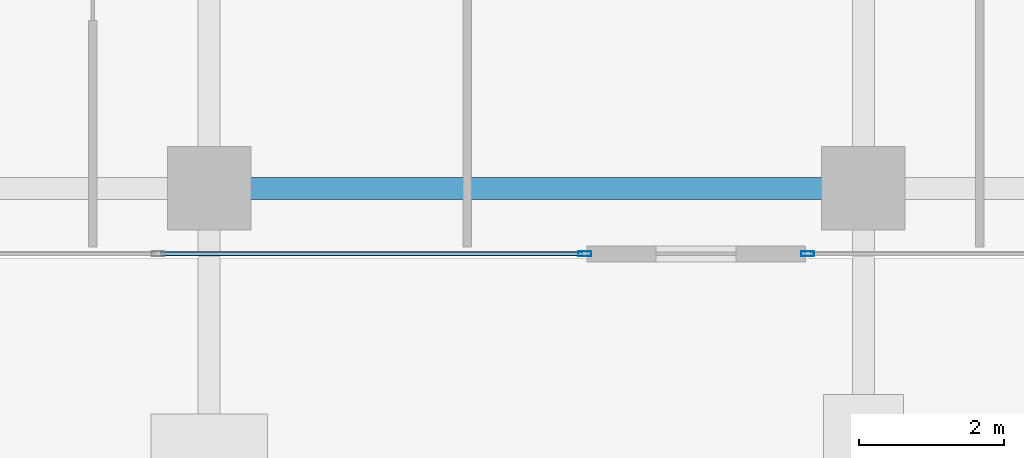
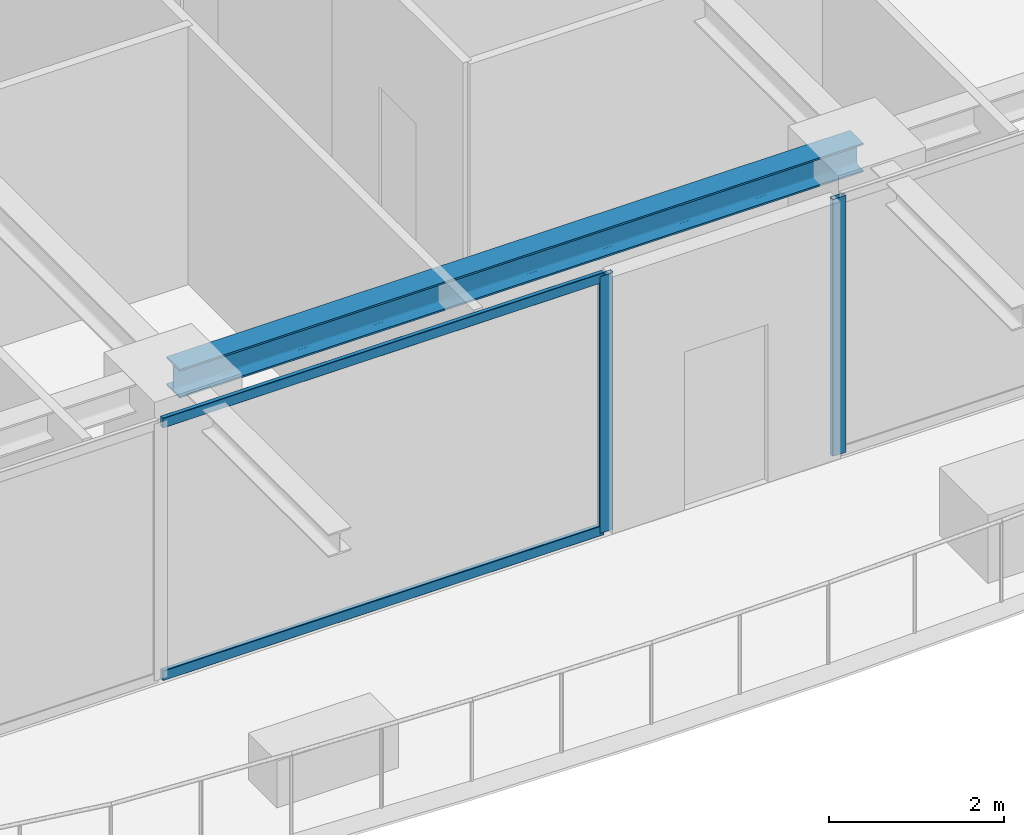
# One storey, part 6 of 36: 4 members, 1 beam, 2 elements without a shape of their own.
"""IFC4 building model written with IfcOpenShell, lengths in metres."""

from ifc_helpers import new_model, si_unit, direction, frame, origin, origin_2d, place, context, subcontext, project, spatial, hollow_rectangle, i_section, extrude, source, transform, mapped, material, layer, layer_set, material_profile, profile_set, type_object, element, aggregate, save


model = new_model("IFC4")

# Units and contexts
model_context = context("Model", 3, precision=1e-05, world=origin(), true_north=direction((0.0, 1.0)))
body_context = subcontext(model_context, "Body", "Model", "MODEL_VIEW")
ifc_project = project(units=[si_unit("LENGTHUNIT", "METRE"), si_unit("AREAUNIT", "SQUARE_METRE"), si_unit("VOLUMEUNIT", "CUBIC_METRE"), si_unit("PLANEANGLEUNIT", "RADIAN"), si_unit("MASSUNIT", "GRAM", prefix="KILO")], contexts=[model_context])

# Site, building, storey
site_placement = place(None, origin())
site = spatial("IfcSite", under=ifc_project, at=site_placement, CompositionType="ELEMENT")
building_placement = place(site_placement, origin())
building = spatial("IfcBuilding", under=site, at=building_placement, Name="Serunith Strait Residences", CompositionType="ELEMENT")
storey_placement = place(building_placement, frame((0.0, 0.0, 225.85009765625)))
storey = spatial("IfcBuildingStorey", under=building, at=storey_placement, Name="L56", CompositionType="ELEMENT", Elevation=225.85009765625)

# Beam
ifc_material_1 = material(Name="Steel S355J2", Category="steel")
ifc_material_profile_1 = material_profile(ifc_material_1, i_section(OverallWidth=0.300048828125, OverallDepth=0.39990234375, WebThickness=0.013427734375, FlangeThickness=0.02392578125, FilletRadius=0.027099609375, at=origin_2d()), Name="HEB 400")
ifc_profile_set_1 = profile_set([ifc_material_profile_1], Name="Steel S355J2")
beam_type = type_object("IfcBeamType", Name="BM-HEB400", PredefinedType="BEAM", material=ifc_profile_set_1)
shared_shape_1 = source(origin(), body_context, "Body", "SweptSolid", [
    extrude(i_section(OverallWidth=0.300048828125, OverallDepth=0.39990234375, WebThickness=0.013427734375, FlangeThickness=0.02392578125, FilletRadius=0.027099609375, at=origin_2d()), origin(), (0.0, 0.0, 1.0), 9.0),
])
beam_placement = place(storey_placement, frame((27.89990234375, 2.10009765625, 3.386962890625), z_axis=(1.0, 0.0, 0.0), x_axis=(0.0, 1.0, 0.0)))
element("IfcBeam", 1, at=beam_placement, inside=storey, type_object=beam_type, Name="L56 Perimeter Ring Beam 02", PredefinedType="BEAM", context=body_context, shape_type="MappedRepresentation", body=[
    mapped(shared_shape_1, transform((0.0, 0.0, 0.0), scale=1.0)),
])

# Curtain wall, member
ifc_material_2 = material(Name="Pale-Champagne Anodised Aluminium", Category="aluminium")
ifc_layer = layer(ifc_material_2, 0.199951171875, Name="Pale-Champagne Anodised Aluminium")
ifc_layer_set = layer_set([ifc_layer], Name="Pale-Champagne Anodised Aluminium")
curtain_wall_type = type_object("IfcCurtainWallType", Name="CW-SYS4", PredefinedType="NOTDEFINED", material=ifc_layer_set)
curtain_wall_1_placement = place(storey_placement, origin())
curtain_wall_1 = element("IfcCurtainWall", 2, at=curtain_wall_1_placement, inside=storey, type_object=curtain_wall_type, Name="L56 S Unitised Fritted Curtain Wall", PredefinedType="NOTDEFINED")
ifc_material_profile_2 = material_profile(ifc_material_2, hollow_rectangle(XDim=0.06494140625, YDim=0.179931640625, WallThickness=0.00341796875, InnerFilletRadius=0.00537109375, OuterFilletRadius=0.0087890625, at=origin_2d()), Name="ALU 180x65x3.5")
ifc_profile_set_2 = profile_set([ifc_material_profile_2], Name="Pale-Champagne Anodised Aluminium")
member_type_1 = type_object("IfcMemberType", Name="CW-SYS4-MULL", PredefinedType="MULLION", material=ifc_profile_set_2)
shared_shape_2 = source(origin(), body_context, "Body", "SweptSolid", [
    extrude(hollow_rectangle(XDim=0.06494140625, YDim=0.179931640625, WallThickness=0.00341796875, InnerFilletRadius=0.00537109375, OuterFilletRadius=0.0087890625, at=origin_2d()), origin(), (0.0, 0.0, 1.0), 3.574951171875),
])
member_1_placement = place(storey_placement, frame((33.0673828125, 1.199951171875, 0.0), z_axis=(0.0, 0.0, 1.0), x_axis=(0.0, 1.0, 0.0)))
member_1 = element("IfcMember", 3, at=member_1_placement, type_object=member_type_1, Name="CW-4 mullion 4", PredefinedType="MULLION", context=body_context, shape_type="MappedRepresentation", body=[
    mapped(shared_shape_2, transform((0.0, 0.0, 0.0), scale=1.0)),
])

curtain_wall_2_placement = place(storey_placement, origin())
curtain_wall_2 = element("IfcCurtainWall", 4, at=curtain_wall_2_placement, inside=storey, type_object=curtain_wall_type, Name="L56 S Unitised Fritted Curtain Wall", PredefinedType="NOTDEFINED")
member_2_placement = place(storey_placement, frame((36.132568359375, 1.199951171875, 0.0), z_axis=(0.0, 0.0, 1.0), x_axis=(0.0, 1.0, 0.0)))
member_2 = element("IfcMember", 5, at=member_2_placement, type_object=member_type_1, Name="CW-4 mullion 1", PredefinedType="MULLION", context=body_context, shape_type="MappedRepresentation", body=[
    mapped(shared_shape_2, transform((0.0, 0.0, 0.0), scale=1.0)),
])
aggregate(curtain_wall_2, [member_2])

# Member
ifc_material_profile_3 = material_profile(ifc_material_2, hollow_rectangle(XDim=0.06005859375, YDim=0.139892578125, WallThickness=0.00341796875, InnerFilletRadius=0.00537109375, OuterFilletRadius=0.0087890625, at=origin_2d()), Name="ALU 140x60x3.5")
ifc_profile_set_3 = profile_set([ifc_material_profile_3], Name="Pale-Champagne Anodised Aluminium")
member_type_2 = type_object("IfcMemberType", Name="CW-SYS4-TRAN", PredefinedType="USERDEFINED", material=ifc_profile_set_3)
shared_shape_3 = source(origin(), body_context, "Body", "SweptSolid", [
    extrude(hollow_rectangle(XDim=0.06005859375, YDim=0.139892578125, WallThickness=0.00341796875, InnerFilletRadius=0.00537109375, OuterFilletRadius=0.0087890625, at=origin_2d()), origin(), (0.0, 0.0, 1.0), 5.802490234375),
])
member_3_placement = place(storey_placement, frame((27.232421875, 1.199951171875, 0.02978515625), z_axis=(1.0, 0.0, 0.0), x_axis=(0.0, 1.0, 0.0)))
member_3 = element("IfcMember", 6, at=member_3_placement, type_object=member_type_2, Name="CW-4 transom 3.1", ObjectType="TRANSOM", PredefinedType="USERDEFINED", context=body_context, shape_type="MappedRepresentation", body=[
    mapped(shared_shape_3, transform((0.0, 0.0, 0.0), scale=1.0)),
])

member_4_placement = place(storey_placement, frame((27.232421875, 1.199951171875, 3.544921875), z_axis=(1.0, 0.0, 0.0), x_axis=(0.0, 1.0, 0.0)))
member_4 = element("IfcMember", 7, at=member_4_placement, type_object=member_type_2, Name="CW-4 transom 3.2", ObjectType="TRANSOM", PredefinedType="USERDEFINED", context=body_context, shape_type="MappedRepresentation", body=[
    mapped(shared_shape_3, transform((0.0, 0.0, 0.0), scale=1.0)),
])

aggregate(curtain_wall_1, [member_1, member_3, member_4])

save(model, "model.ifc")
